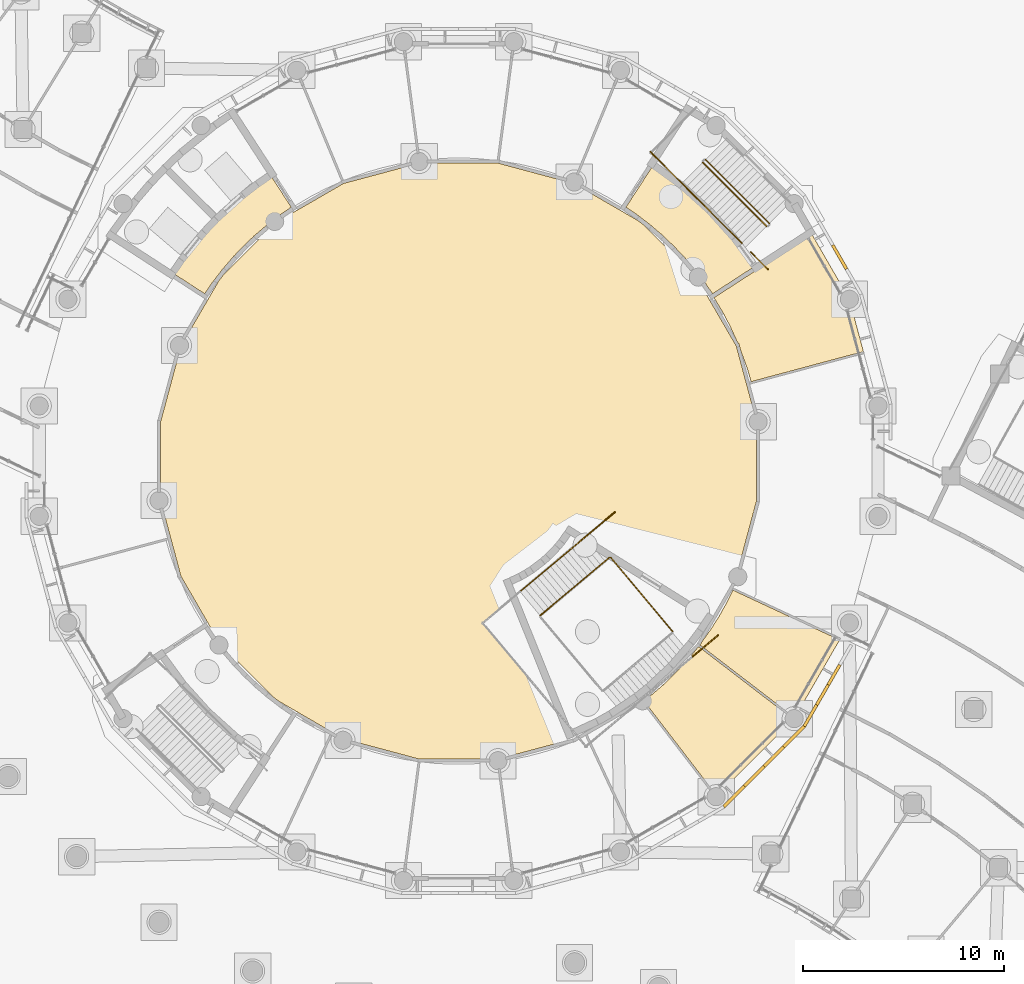
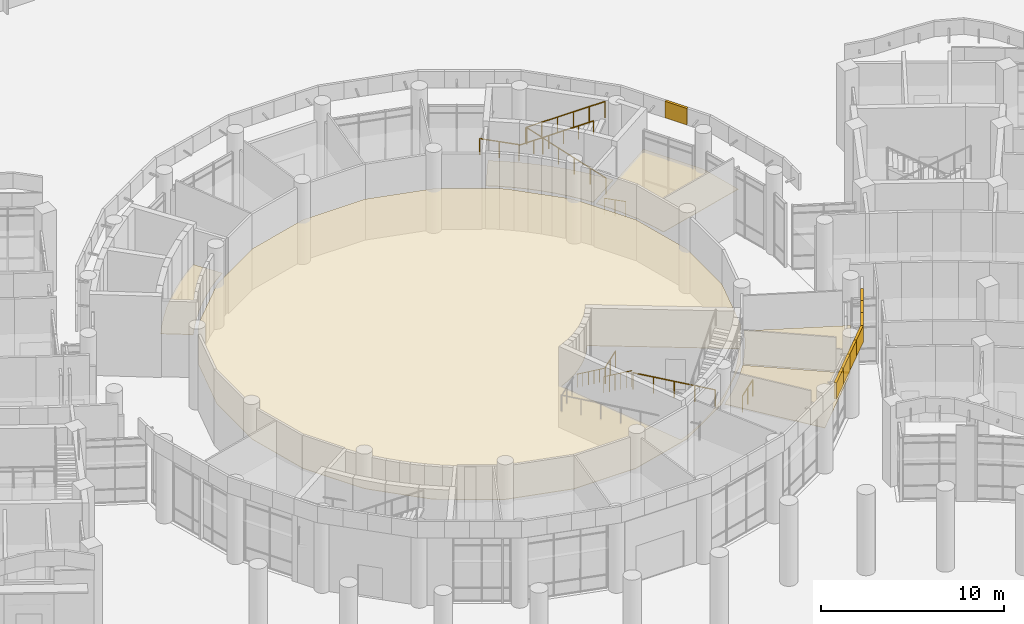
# One storey, part 123 of 146: 14 coverings, 10 railings.
"""IFC4 building model written with IfcOpenShell, lengths in metres."""

from ifc_helpers import new_model, si_unit, direction, frame, origin, origin_2d, place, context, subcontext, project, spatial, polyline, circle, outline, extrude, material, layer, layer_set, type_object, element, save


model = new_model("IFC4")

# Units and contexts
model_context = context("Model", 3, precision=1e-05, world=origin(), true_north=direction((0.0, 1.0)))
body_context = subcontext(model_context, "Body", "Model", "MODEL_VIEW")
ifc_project = project(units=[si_unit("LENGTHUNIT", "METRE"), si_unit("AREAUNIT", "SQUARE_METRE"), si_unit("VOLUMEUNIT", "CUBIC_METRE"), si_unit("PLANEANGLEUNIT", "RADIAN"), si_unit("MASSUNIT", "GRAM", prefix="KILO")], contexts=[model_context])

# Site, building, storey
site_placement = place(None, origin())
site = spatial("IfcSite", under=ifc_project, at=site_placement, CompositionType="ELEMENT")
building_placement = place(site_placement, origin())
building = spatial("IfcBuilding", under=site, at=building_placement, Name="Bougainvillea Quay General Hospital", CompositionType="ELEMENT")
storey_placement = place(building_placement, origin())
storey = spatial("IfcBuildingStorey", under=building, at=storey_placement, Name="L00", CompositionType="ELEMENT", Elevation=0.0)

# Coverings
ifc_material_1 = material(Name="Powder-coated aluminium fascia, white", Category="aluminium")
ifc_layer_1 = layer(ifc_material_1, 0.14990234375)
ifc_layer_set_1 = layer_set([ifc_layer_1], Name="Powder-coated aluminium fascia, white")
covering_type_1 = type_object("IfcCoveringType", Name="Aluminium fascia band white 150x1100", PredefinedType="CLADDING", material=ifc_layer_set_1)
covering_1_placement = place(storey_placement, frame((128.39208984375, 83.498046875, 4.85009765625), z_axis=(0.0, 0.0, 1.0), x_axis=(-0.499989712218, 0.866031343357, 0.0)))
element("IfcCovering", 1, at=covering_1_placement, inside=storey, type_object=covering_type_1, Name="Fascia band white e0 8", PredefinedType="CLADDING", context=body_context, shape_type="SweptSolid", body=[
    extrude(outline(polyline([(0.0, 0.0), (1.3706336703115394, 0.0), (1.3706036643327093, -0.14995740144450087), (-3.0005978829975022e-05, -0.14995740144450084), (0.0, 0.0)])), origin(), (0.0, 0.0, 1.0), 1.10009765625),
])
covering_2_placement = place(storey_placement, frame((122.32177734375, 56.89990234375, 4.85009765625), z_axis=(0.0, 0.0, 1.0), x_axis=(0.707022163611, 0.707191388638, 0.0)))
element("IfcCovering", 2, at=covering_2_placement, inside=storey, type_object=covering_type_1, Name="Fascia band white e1 35", PredefinedType="CLADDING", context=body_context, shape_type="SweptSolid", body=[
    extrude(outline(polyline([(0.0, 0.0), (1.4426980987993736, -1.1102230246251565e-16), (1.4426801269031753, -0.15019113653028116), (-0.019870802619285935, -0.15001612744454187), (0.0, 0.0)])), origin(), (0.0, 0.0, 1.0), 1.10009765625),
])
covering_3_placement = place(storey_placement, frame((123.341796875, 57.920166015625, 4.85009765625), z_axis=(0.0, 0.0, 1.0), x_axis=(0.707106781187, 0.707106781187, 0.0)))
element("IfcCovering", 3, at=covering_3_placement, inside=storey, type_object=covering_type_1, Name="Fascia band white e1 36", PredefinedType="CLADDING", context=body_context, shape_type="SweptSolid", body=[
    extrude(outline(polyline([(0.0, 0.0), (1.370364655531937, 0.0), (1.370364655531937, -0.15019113760554115), (0.0, -0.15019113760554112), (0.0, 0.0)])), origin(), (0.0, 0.0, 1.0), 1.10009765625),
])
covering_4_placement = place(storey_placement, frame((124.310791015625, 58.88916015625, 4.85009765625), z_axis=(0.0, 0.0, 1.0), x_axis=(0.707195843064, 0.707017708091, 0.0)))
element("IfcCovering", 4, at=covering_4_placement, inside=storey, type_object=covering_type_1, Name="Fascia band white e1 37", PredefinedType="CLADDING", context=body_context, shape_type="SweptSolid", body=[
    extrude(outline(polyline([(0.0, 0.0), (1.3705372998959335, 0.0), (1.370383562803702, -0.15001852466893295), (1.891814289130267e-05, -0.15019113641407222), (0.0, 0.0)])), origin(), (0.0, 0.0, 1.0), 1.10009765625),
])
covering_5_placement = place(storey_placement, frame((125.280029296875, 59.858154296875, 4.85009765625), z_axis=(0.0, 0.0, 1.0), x_axis=(0.707022163611, 0.707191388638, 0.0)))
element("IfcCovering", 5, at=covering_5_placement, inside=storey, type_object=covering_type_1, Name="Fascia band white e1 38", PredefinedType="CLADDING", context=body_context, shape_type="SweptSolid", body=[
    extrude(outline(polyline([(0.0, 0.0), (1.4426980987993736, -1.1102230246251565e-16), (1.4623603447933502, -0.15019349146840377), (-0.00019058472911116786, -0.15001848238266444), (0.0, 0.0)])), origin(), (0.0, 0.0, 1.0), 1.10009765625),
])
covering_6_placement = place(storey_placement, frame((126.300048828125, 60.87841796875, 4.85009765625), z_axis=(0.0, 0.0, 1.0), x_axis=(0.500080723117, 0.865978793255, 0.0)))
element("IfcCovering", 6, at=covering_6_placement, inside=storey, type_object=covering_type_1, Name="Fascia band white e1 39", PredefinedType="CLADDING", context=body_context, shape_type="SweptSolid", body=[
    extrude(outline(polyline([(0.0, 0.0), (1.2190414715957647, 1.1102230246251565e-16), (1.2190872370178687, -0.14995739746298636), (-0.019848698260943015, -0.15016896475085362), (0.0, 0.0)])), origin(), (0.0, 0.0, 1.0), 1.10009765625),
])
for number, where, z_axis, x_axis, name in (
    (7, (126.90966796875, 61.93408203125, 4.85009765625), (0.0, 0.0, 1.0), (0.499986657325, 0.866033107044, 0.0), "Fascia band white e1 40"),
    (8, (127.48291015625, 62.927001953125, 4.85009765625), (0.0, 0.0, 1.0), (0.499986657325, 0.866033107044, 0.0), "Fascia band white e1 41"),
):
    element("IfcCovering", number, at=place(storey_placement, frame(where, z_axis=z_axis, x_axis=x_axis)), inside=storey, type_object=covering_type_1, Name=name, PredefinedType="CLADDING", context=body_context, shape_type="SweptSolid", body=[
        extrude(outline(polyline([(0.0, 0.0), (1.1465149701534827, 0.0), (1.1465444471637856, -0.14995740154941278), (2.9477010302911277e-05, -0.14995740154941273), (0.0, 0.0)])), origin(), (0.0, 0.0, 1.0), 1.10009765625),
    ])

# Railings
ifc_material_2 = material(Name="Stainless steel 304 balustrade", Category="steel")
railing_type_1 = type_object("IfcRailingType", Name="Stair guard 1100", PredefinedType="GUARDRAIL", material=ifc_material_2)
railing_1_placement = place(storey_placement, frame((124.62939453125, 85.80078125, 0.158935546875)))
element("IfcRailing", 9, at=railing_1_placement, inside=storey, type_object=railing_type_1, Name="L00 ST-H1 stair guard 1", PredefinedType="GUARDRAIL", context=body_context, shape_type="SweptSolid", body=[
    extrude(circle(Radius=0.02392578125, at=origin_2d()), frame((0.0, 0.0, 1.076171875), z_axis=(-0.615054836329, 0.615054836329, 0.49337115503), x_axis=(-0.707106781187, -0.707106781187, 0.0)), (0.0, 0.0, 1.0), 5.150390625),
    extrude(circle(Radius=0.02099609375, at=origin_2d()), origin(), (0.0, 0.0, 1.0), 1.052001953125),
    extrude(circle(Radius=0.02099609375, at=origin_2d()), frame((-0.633544921875, 0.633544921875, 0.50830078125)), (0.0, 0.0, 1.0), 1.052001953125),
    extrude(circle(Radius=0.02099609375, at=origin_2d()), frame((-1.26708984375, 1.26708984375, 1.016357421875)), (0.0, 0.0, 1.0), 1.052001953125),
    extrude(circle(Radius=0.02099609375, at=origin_2d()), frame((-1.900634765625, 1.900634765625, 1.524658203125)), (0.0, 0.0, 1.0), 1.052001953125),
    extrude(circle(Radius=0.02099609375, at=origin_2d()), frame((-2.5341796875, 2.5341796875, 2.03271484375)), (0.0, 0.0, 1.0), 1.052001953125),
    extrude(circle(Radius=0.02099609375, at=origin_2d()), frame((-3.167724609375, 3.167724609375, 2.541015625)), (0.0, 0.0, 1.0), 1.052001953125),
])
railing_2_placement = place(storey_placement, frame((120.28564453125, 87.792724609375, 2.699951171875)))
element("IfcRailing", 10, at=railing_2_placement, inside=storey, type_object=railing_type_1, Name="L00 ST-H1 stair guard 3", PredefinedType="GUARDRAIL", context=body_context, shape_type="SweptSolid", body=[
    extrude(circle(Radius=0.02392578125, at=origin_2d()), frame((0.0, 0.0, 1.076171875), z_axis=(-0.707106781187, 0.707106781187, 0.0), x_axis=(-0.707106781187, -0.707106781187, 0.0)), (0.0, 0.0, 1.0), 2.21484375),
    extrude(circle(Radius=0.02099609375, at=origin_2d()), origin(), (0.0, 0.0, 1.0), 1.052001953125),
    extrude(circle(Radius=0.02099609375, at=origin_2d()), frame((-0.783203125, 0.783203125, 0.0)), (0.0, 0.0, 1.0), 1.052001953125),
    extrude(circle(Radius=0.02099609375, at=origin_2d()), frame((-1.566162109375, 1.566162109375, 0.0)), (0.0, 0.0, 1.0), 1.052001953125),
])
railing_3_placement = place(storey_placement, frame((121.320068359375, 88.8271484375, 2.85888671875)))
element("IfcRailing", 11, at=railing_3_placement, inside=storey, type_object=railing_type_1, Name="L00 ST-H1 stair guard 5", PredefinedType="GUARDRAIL", context=body_context, shape_type="SweptSolid", body=[
    extrude(circle(Radius=0.02392578125, at=origin_2d()), frame((0.0, 0.0, 1.076171875), z_axis=(0.615084305887, -0.615036904199, 0.493356770628), x_axis=(0.707079532895, 0.707134028428, 0.0)), (0.0, 0.0, 1.0), 5.150390625),
    extrude(circle(Radius=0.02099609375, at=origin_2d()), origin(), (0.0, 0.0, 1.0), 1.052001953125),
    extrude(circle(Radius=0.02099609375, at=origin_2d()), frame((0.633544921875, -0.633544921875, 0.50830078125)), (0.0, 0.0, 1.0), 1.052001953125),
    extrude(circle(Radius=0.02099609375, at=origin_2d()), frame((1.26708984375, -1.26708984375, 1.016357421875)), (0.0, 0.0, 1.0), 1.052001953125),
    extrude(circle(Radius=0.02099609375, at=origin_2d()), frame((1.90087890625, -1.900634765625, 1.524658203125)), (0.0, 0.0, 1.0), 1.052001953125),
    extrude(circle(Radius=0.02099609375, at=origin_2d()), frame((2.534423828125, -2.5341796875, 2.03271484375)), (0.0, 0.0, 1.0), 1.052001953125),
    extrude(circle(Radius=0.02099609375, at=origin_2d()), frame((3.16796875, -3.167724609375, 2.541015625)), (0.0, 0.0, 1.0), 1.052001953125),
])
railing_4_placement = place(storey_placement, frame((116.681640625, 69.2138671875, 0.158935546875)))
element("IfcRailing", 12, at=railing_4_placement, inside=storey, type_object=railing_type_1, Name="L00 ST-H3 stair guard 1", PredefinedType="GUARDRAIL", context=body_context, shape_type="SweptSolid", body=[
    extrude(circle(Radius=0.02392578125, at=origin_2d()), frame((0.0, 0.0, 1.076171875), z_axis=(-0.6661979064, -0.559257357315, 0.493367568651), x_axis=(0.642956890328, -0.765902367916, 0.0)), (0.0, 0.0, 1.0), 5.150390625),
    extrude(circle(Radius=0.02099609375, at=origin_2d()), origin(), (0.0, 0.0, 1.0), 1.052001953125),
    extrude(circle(Radius=0.02099609375, at=origin_2d()), frame((-0.686279296875, -0.576171875, 0.50830078125)), (0.0, 0.0, 1.0), 1.052001953125),
    extrude(circle(Radius=0.02099609375, at=origin_2d()), frame((-1.37255859375, -1.152099609375, 1.016357421875)), (0.0, 0.0, 1.0), 1.052001953125),
    extrude(circle(Radius=0.02099609375, at=origin_2d()), frame((-2.05859375, -1.728271484375, 1.524658203125)), (0.0, 0.0, 1.0), 1.052001953125),
    extrude(circle(Radius=0.02099609375, at=origin_2d()), frame((-2.744873046875, -2.30419921875, 2.03271484375)), (0.0, 0.0, 1.0), 1.052001953125),
    extrude(circle(Radius=0.02099609375, at=origin_2d()), frame((-3.43115234375, -2.88037109375, 2.541015625)), (0.0, 0.0, 1.0), 1.052001953125),
])
railing_5_placement = place(storey_placement, frame((116.752197265625, 69.207763671875, 0.0)))
element("IfcRailing", 13, at=railing_5_placement, inside=storey, type_object=railing_type_1, Name="L00 ST-H3 stair guard 7", PredefinedType="GUARDRAIL", context=body_context, shape_type="SweptSolid", body=[
    extrude(circle(Radius=0.02392578125, at=origin_2d()), frame((0.0, 0.0, 1.076171875), z_axis=(0.642924788038, -0.765929315882, 0.0), x_axis=(0.765929315882, 0.642924788038, 0.0)), (0.0, 0.0, 1.0), 4.77734375),
    extrude(circle(Radius=0.02099609375, at=origin_2d()), origin(), (0.0, 0.0, 1.0), 1.052001953125),
    extrude(circle(Radius=0.02099609375, at=origin_2d()), frame((0.767822265625, -0.914794921875, 0.0)), (0.0, 0.0, 1.0), 1.052001953125),
    extrude(circle(Radius=0.02099609375, at=origin_2d()), frame((1.53564453125, -1.82958984375, 0.0)), (0.0, 0.0, 1.0), 1.052001953125),
    extrude(circle(Radius=0.02099609375, at=origin_2d()), frame((2.3037109375, -2.744384765625, 0.0)), (0.0, 0.0, 1.0), 1.052001953125),
    extrude(circle(Radius=0.02099609375, at=origin_2d()), frame((3.071533203125, -3.6591796875, 0.0)), (0.0, 0.0, 1.0), 1.052001953125),
])
for number, where, name in (
    (14, (116.948974609375, 71.4619140625, 0.0), "L00 ST-H3 stair guard 8"),
    (15, (122.077880859375, 65.351806640625, 0.0), "L00 ST-H3 stair guard 9"),
):
    element("IfcRailing", number, at=place(storey_placement, frame(where)), inside=storey, type_object=railing_type_1, Name=name, PredefinedType="GUARDRAIL", context=body_context, shape_type="SweptSolid", body=[
        extrude(circle(Radius=0.02392578125, at=origin_2d()), frame((0.0, 0.0, 1.076171875), z_axis=(-0.765911793969, -0.642945661669, 0.0), x_axis=(0.642945661669, -0.765911793969, 0.0)), (0.0, 0.0, 1.0), 1.64990234375),
        extrude(circle(Radius=0.02099609375, at=origin_2d()), origin(), (0.0, 0.0, 1.0), 1.052001953125),
        extrude(circle(Radius=0.02099609375, at=origin_2d()), frame((-0.6318359375, -0.5302734375, 0.0)), (0.0, 0.0, 1.0), 1.052001953125),
        extrude(circle(Radius=0.02099609375, at=origin_2d()), frame((-1.263671875, -1.060791015625, 0.0)), (0.0, 0.0, 1.0), 1.052001953125),
    ])
railing_6_placement = place(storey_placement, frame((124.558837890625, 83.51953125, 0.0)))
element("IfcRailing", 16, at=railing_6_placement, inside=storey, type_object=railing_type_1, Name="L00 ST-H1 stair guard 7", PredefinedType="GUARDRAIL", context=body_context, shape_type="SweptSolid", body=[
    extrude(circle(Radius=0.02392578125, at=origin_2d()), frame((0.0, 0.0, 1.076171875), z_axis=(-0.707106781187, 0.707106781187, 0.0), x_axis=(-0.707106781187, -0.707106781187, 0.0)), (0.0, 0.0, 1.0), 1.212890625),
    extrude(circle(Radius=0.02099609375, at=origin_2d()), origin(), (0.0, 0.0, 1.0), 1.052001953125),
    extrude(circle(Radius=0.02099609375, at=origin_2d()), frame((-0.4287109375, 0.4287109375, 0.0)), (0.0, 0.0, 1.0), 1.052001953125),
    extrude(circle(Radius=0.02099609375, at=origin_2d()), frame((-0.857666015625, 0.857666015625, 0.0)), (0.0, 0.0, 1.0), 1.052001953125),
])
ifc_material_3 = material(Name="Stainless steel 304 handrail", Category="steel")
railing_type_2 = type_object("IfcRailingType", Name="Stair handrail 900", PredefinedType="HANDRAIL", material=ifc_material_3)
railing_7_placement = place(storey_placement, frame((115.685302734375, 70.401123046875, 0.158935546875)))
element("IfcRailing", 17, at=railing_7_placement, inside=storey, type_object=railing_type_2, Name="L00 ST-H3 stair handrail 1", PredefinedType="HANDRAIL", context=body_context, shape_type="SweptSolid", body=[
    extrude(circle(Radius=0.02392578125, at=origin_2d()), frame((0.0, 0.0, 0.8759765625), z_axis=(-0.666224269616, -0.559239696402, 0.493351988486), x_axis=(0.642930054377, -0.76592489526, 0.0)), (0.0, 0.0, 1.0), 5.150390625),
    extrude(circle(Radius=0.02099609375, at=origin_2d()), origin(), (0.0, 0.0, 1.0), 0.851806640625),
    extrude(circle(Radius=0.02099609375, at=origin_2d()), frame((-0.686279296875, -0.576171875, 0.50830078125)), (0.0, 0.0, 1.0), 0.851806640625),
    extrude(circle(Radius=0.02099609375, at=origin_2d()), frame((-1.37255859375, -1.152099609375, 1.016357421875)), (0.0, 0.0, 1.0), 0.851806640625),
    extrude(circle(Radius=0.02099609375, at=origin_2d()), frame((-2.058837890625, -1.728271484375, 1.524658203125)), (0.0, 0.0, 1.0), 0.851806640625),
    extrude(circle(Radius=0.02099609375, at=origin_2d()), frame((-2.7451171875, -2.30419921875, 2.03271484375)), (0.0, 0.0, 1.0), 0.851806640625),
    extrude(circle(Radius=0.02099609375, at=origin_2d()), frame((-3.431396484375, -2.88037109375, 2.541015625)), (0.0, 0.0, 1.0), 0.851806640625),
])
railing_8_placement = place(storey_placement, frame((120.28564453125, 87.792724609375, 2.85888671875)))
element("IfcRailing", 18, at=railing_8_placement, inside=storey, type_object=railing_type_2, Name="L00 ST-H1 stair handrail 2", PredefinedType="HANDRAIL", context=body_context, shape_type="SweptSolid", body=[
    extrude(circle(Radius=0.02392578125, at=origin_2d()), frame((0.0, 0.0, 0.8759765625), z_axis=(0.615059684213, -0.615059684213, 0.49335906773), x_axis=(0.707106781187, 0.707106781187, 0.0)), (0.0, 0.0, 1.0), 4.840576171875),
    extrude(circle(Radius=0.02099609375, at=origin_2d()), origin(), (0.0, 0.0, 1.0), 0.851806640625),
    extrude(circle(Radius=0.02099609375, at=origin_2d()), frame((0.595458984375, -0.595458984375, 0.4775390625)), (0.0, 0.0, 1.0), 0.851806640625),
    extrude(circle(Radius=0.02099609375, at=origin_2d()), frame((1.19091796875, -1.19091796875, 0.955322265625)), (0.0, 0.0, 1.0), 0.851806640625),
    extrude(circle(Radius=0.02099609375, at=origin_2d()), frame((1.786376953125, -1.786376953125, 1.432861328125)), (0.0, 0.0, 1.0), 0.851806640625),
    extrude(circle(Radius=0.02099609375, at=origin_2d()), frame((2.3818359375, -2.3818359375, 1.91064453125)), (0.0, 0.0, 1.0), 0.851806640625),
    extrude(circle(Radius=0.02099609375, at=origin_2d()), frame((2.977294921875, -2.977294921875, 2.38818359375)), (0.0, 0.0, 1.0), 0.851806640625),
])

# Coverings
ifc_material_4 = material(Name="Mineral fibre ceiling tile")
ifc_layer_2 = layer(ifc_material_4, 0.030029296875)
ifc_layer_set_2 = layer_set([ifc_layer_2], Name="Mineral fibre ceiling tile")
covering_type_2 = type_object("IfcCoveringType", Name="Suspended ceiling mineral fibre tile", PredefinedType="CEILING", material=ifc_layer_set_2)
covering_7_placement = place(storey_placement, frame((0.0, 0.0, 2.699951171875)))
element("IfcCovering", 19, at=covering_7_placement, inside=storey, type_object=covering_type_2, Name="Ceiling Lift Lobby LB-H1", PredefinedType="CEILING", context=body_context, shape_type="SweptSolid", body=[
    extrude(outline(polyline([(96.9248046875, 82.798583984375), (96.984130859375, 82.875732421875), (97.039306640625, 82.9560546875), (97.04345703125, 82.953125), (97.406005859375, 83.425537109375), (97.402099609375, 83.428955078125), (97.46533203125, 83.5029296875), (97.5244140625, 83.580322265625), (97.528564453125, 83.5771484375), (97.915283203125, 84.02978515625), (97.91162109375, 84.033203125), (97.978515625, 84.10400390625), (98.0419921875, 84.177978515625), (98.045654296875, 84.1748046875), (98.455322265625, 84.60693359375), (98.45166015625, 84.61083984375), (98.522216796875, 84.677734375), (98.589111328125, 84.748291015625), (98.593017578125, 84.74462890625), (99.025390625, 85.154296875), (99.02197265625, 85.157958984375), (99.09619140625, 85.221435546875), (99.166748046875, 85.288330078125), (99.170166015625, 85.28466796875), (99.622802734375, 85.67138671875), (99.619873046875, 85.675537109375), (99.697021484375, 85.734619140625), (99.77099609375, 85.798095703125), (99.7744140625, 85.794189453125), (100.246826171875, 86.156494140625), (100.243896484375, 86.16064453125), (100.32421875, 86.2158203125), (100.4013671875, 86.275146484375), (100.404541015625, 86.271240234375), (100.89306640625, 86.607177734375), (99.9130859375, 88.116455078125), (99.266845703125, 87.672119140625), (98.56494140625, 87.13330078125), (97.891845703125, 86.55859375), (97.249755859375, 85.9501953125), (96.641357421875, 85.30810546875), (96.066650390625, 84.635009765625), (95.52783203125, 83.93310546875), (95.08349609375, 83.286865234375), (96.5927734375, 82.306884765625), (96.9287109375, 82.79541015625), (96.9248046875, 82.798583984375)])), origin(), (0.0, 0.0, 1.0), 0.030029296875),
])
covering_8_placement = place(storey_placement, frame((0.0, 0.0, 2.699951171875)))
element("IfcCovering", 20, at=covering_8_placement, inside=storey, type_object=covering_type_2, Name="Ceiling Smoke-proof Vestibule ST-H1", PredefinedType="CEILING", context=body_context, shape_type="SweptSolid", body=[
    extrude(outline(polyline([(117.99853515625, 86.275146484375), (118.075927734375, 86.2158203125), (118.156005859375, 86.16064453125), (118.153076171875, 86.156494140625), (118.62548828125, 85.794189453125), (118.62890625, 85.798095703125), (118.702880859375, 85.734619140625), (118.7802734375, 85.675537109375), (118.777099609375, 85.67138671875), (119.229736328125, 85.28466796875), (119.233154296875, 85.288330078125), (119.303955078125, 85.221435546875), (119.3779296875, 85.157958984375), (119.374755859375, 85.154296875), (119.806884765625, 84.74462890625), (119.810791015625, 84.748291015625), (119.877685546875, 84.677734375), (119.948486328125, 84.61083984375), (119.94482421875, 84.60693359375), (120.354248046875, 84.1748046875), (120.358154296875, 84.177978515625), (120.42138671875, 84.10400390625), (120.48828125, 84.033203125), (120.484619140625, 84.02978515625), (120.871337890625, 83.5771484375), (120.87548828125, 83.580322265625), (120.934814453125, 83.5029296875), (120.998046875, 83.428955078125), (120.994140625, 83.425537109375), (121.3564453125, 82.953125), (121.36083984375, 82.9560546875), (121.416015625, 82.875732421875), (121.47509765625, 82.798583984375), (121.47119140625, 82.79541015625), (121.80712890625, 82.306884765625), (123.8203125, 83.614013671875), (123.358154296875, 84.2861328125), (122.80029296875, 85.012939453125), (122.20458984375, 85.7099609375), (121.57421875, 86.374267578125), (120.91015625, 87.004638671875), (120.213134765625, 87.600341796875), (119.486083984375, 88.158203125), (118.81396484375, 88.620361328125), (117.5068359375, 86.607177734375), (117.995361328125, 86.271240234375), (117.99853515625, 86.275146484375)])), origin(), (0.0, 0.0, 1.0), 0.030029296875),
])
covering_9_placement = place(storey_placement, frame((0.0, 0.0, 2.699951171875)))
element("IfcCovering", 21, at=covering_9_placement, inside=storey, type_object=covering_type_2, Name="Ceiling Main Hall (Hospital Street)", PredefinedType="CEILING", context=body_context, shape_type="SweptSolid", body=[
    extrude(outline(polyline([(100.305419921875, 85.949462890625), (100.014892578125, 85.7265625), (97.51513671875, 83.2392578125), (97.2890625, 82.94482421875), (95.411865234375, 79.7109375), (94.403076171875, 75.9482421875), (94.403076171875, 72.0517578125), (95.411865234375, 68.2890625), (97.25048828125, 65.10546875), (97.473388671875, 64.81494140625), (99.960693359375, 62.31494140625), (100.255126953125, 62.089111328125), (103.489013671875, 60.2119140625), (107.251953125, 59.202880859375), (111.148193359375, 59.202880859375), (114.9111328125, 60.2119140625), (118.284912109375, 62.159912109375), (121.0400390625, 64.9150390625), (122.988037109375, 68.2890625), (123.9970703125, 72.0517578125), (123.9970703125, 75.9482421875), (122.988037109375, 79.7109375), (121.11083984375, 82.94482421875), (120.885009765625, 83.2392578125), (118.385009765625, 85.7265625), (118.094482421875, 85.949462890625), (114.9111328125, 87.7880859375), (111.148193359375, 88.797119140625), (107.251953125, 88.797119140625), (103.489013671875, 87.7880859375), (100.305419921875, 85.949462890625)]), holes=[polyline([(118.719970703125, 62.76806640625), (119.1875, 63.1826171875), (119.18994140625, 63.179931640625), (119.2421875, 63.231201171875), (119.296875, 63.279541015625), (119.29443359375, 63.282470703125), (119.73974609375, 63.7197265625), (119.74267578125, 63.717041015625), (119.7919921875, 63.77099609375), (119.843994140625, 63.822021484375), (119.84130859375, 63.82470703125), (120.26318359375, 64.285888671875), (120.26611328125, 64.283447265625), (120.312744140625, 64.33984375), (120.362060546875, 64.393798828125), (120.359130859375, 64.396240234375), (120.756591796875, 64.87841796875), (120.759521484375, 64.8759765625), (120.802978515625, 64.934814453125), (120.849609375, 64.9912109375), (120.8466796875, 64.99365234375), (121.218994140625, 65.495361328125), (121.22216796875, 65.4931640625), (121.262451171875, 65.553955078125), (121.305908203125, 65.612548828125), (121.302734375, 65.614990234375), (121.646240234375, 66.134765625), (121.64794921875, 66.133544921875), (121.72802734375, 66.25830078125), (121.726318359375, 66.25927734375), (121.727294921875, 66.2607421875), (121.602783203125, 66.3408203125), (121.601806640625, 66.33935546875), (114.752685546875, 70.619140625), (114.69091796875, 70.659912109375), (114.689697265625, 70.658203125), (114.688232421875, 70.659423828125), (114.64892578125, 70.5966796875), (114.46240234375, 70.31494140625), (114.262939453125, 70.044189453125), (114.04931640625, 69.78515625), (113.822021484375, 69.537109375), (113.581787109375, 69.30078125), (113.329833984375, 69.078369140625), (113.06689453125, 68.868896484375), (112.79296875, 68.673095703125), (112.50927734375, 68.492431640625), (112.216796875, 68.3271484375), (111.915283203125, 68.177001953125), (111.60595703125, 68.042236328125), (111.537353515625, 68.014404296875), (111.5380859375, 68.0126953125), (111.536376953125, 68.01171875), (111.56591796875, 67.94384765625), (114.591064453125, 60.45654296875), (114.58935546875, 60.455810546875), (114.646484375, 60.3193359375), (114.6484375, 60.320068359375), (114.649169921875, 60.318359375), (114.78564453125, 60.37548828125), (114.784912109375, 60.37744140625), (115.355712890625, 60.625732421875), (115.357177734375, 60.622314453125), (115.422607421875, 60.655029296875), (115.48974609375, 60.68408203125), (115.48828125, 60.6875), (116.047607421875, 60.966064453125), (116.049560546875, 60.962890625), (116.11328125, 60.998779296875), (116.178466796875, 61.03125), (116.1767578125, 61.03466796875), (116.719970703125, 61.341796875), (116.72216796875, 61.33837890625), (116.78369140625, 61.377685546875), (116.84716796875, 61.41357421875), (116.84521484375, 61.4169921875), (117.372314453125, 61.75341796875), (117.37451171875, 61.75048828125), (117.433837890625, 61.792724609375), (117.49560546875, 61.83203125), (117.49365234375, 61.835205078125), (118.00244140625, 62.19775390625), (118.0048828125, 62.194580078125), (118.06201171875, 62.239990234375), (118.12158203125, 62.282470703125), (118.119384765625, 62.28564453125), (118.608154296875, 62.674072265625), (118.610595703125, 62.671142578125), (118.665283203125, 62.719482421875), (118.722412109375, 62.764892578125), (118.719970703125, 62.76806640625)])]), origin(), (0.0, 0.0, 1.0), 0.030029296875),
])
covering_10_placement = place(storey_placement, frame((0.0, 0.0, 2.699951171875)))
element("IfcCovering", 22, at=covering_10_placement, inside=storey, type_object=covering_type_2, Name="Ceiling Cafe Kitchen 00H0212", PredefinedType="CEILING", context=body_context, shape_type="SweptSolid", body=[
    extrude(outline(polyline([(125.82421875, 61.180419921875), (121.134765625, 64.779296875), (121.12744140625, 64.7666015625), (121.1123046875, 64.775390625), (121.004150390625, 64.667236328125), (120.87890625, 64.508544921875), (120.880615234375, 64.50732421875), (120.8486328125, 64.47021484375), (120.818115234375, 64.431884765625), (120.816650390625, 64.43310546875), (120.390869140625, 63.9384765625), (120.392578125, 63.936767578125), (120.359130859375, 63.9013671875), (120.327392578125, 63.864501953125), (120.325439453125, 63.865966796875), (119.8759765625, 63.39306640625), (119.877685546875, 63.39111328125), (119.84228515625, 63.357666015625), (119.808837890625, 63.322265625), (119.806884765625, 63.323974609375), (119.333984375, 62.87451171875), (119.33544921875, 62.872802734375), (119.298583984375, 62.8408203125), (119.26318359375, 62.807373046875), (119.261474609375, 62.80908203125), (118.766845703125, 62.38330078125), (118.768310546875, 62.3818359375), (118.729736328125, 62.351318359375), (118.692626953125, 62.319580078125), (118.69140625, 62.321044921875), (118.53271484375, 62.19580078125), (118.4248046875, 62.087646484375), (118.433349609375, 62.072509765625), (118.420654296875, 62.065185546875), (122.019775390625, 57.375732421875), (125.82421875, 61.180419921875)])), origin(), (0.0, 0.0, 1.0), 0.030029296875),
])
covering_11_placement = place(storey_placement, frame((0.0, 0.0, 2.699951171875)))
element("IfcCovering", 23, at=covering_11_placement, inside=storey, type_object=covering_type_2, Name="Ceiling Shop 00H0213", PredefinedType="CEILING", context=body_context, shape_type="SweptSolid", body=[
    extrude(outline(polyline([(128.115966796875, 65.12451171875), (122.818115234375, 67.594970703125), (122.52783203125, 67.01123046875), (122.530029296875, 67.010009765625), (122.506103515625, 66.967529296875), (122.484619140625, 66.924072265625), (122.482421875, 66.925048828125), (122.162841796875, 66.35595703125), (122.1650390625, 66.354736328125), (122.138916015625, 66.3134765625), (122.115234375, 66.27099609375), (122.113037109375, 66.272216796875), (121.765380859375, 65.71826171875), (121.767822265625, 65.716552734375), (121.739501953125, 65.67724609375), (121.7138671875, 65.635986328125), (121.711181640625, 65.6376953125), (121.291748046875, 65.05126953125), (121.19384765625, 64.88134765625), (121.2060546875, 64.868896484375), (121.195556640625, 64.858642578125), (125.88525390625, 61.259765625), (128.115966796875, 65.12451171875)])), origin(), (0.0, 0.0, 1.0), 0.030029296875),
])
covering_12_placement = place(storey_placement, frame((0.0, 0.0, 2.699951171875)))
element("IfcCovering", 24, at=covering_12_placement, inside=storey, type_object=covering_type_2, Name="Ceiling Quiet Room 00H0511", PredefinedType="CEILING", context=body_context, shape_type="SweptSolid", body=[
    extrude(outline(polyline([(126.7099609375, 85.3115234375), (124.0732421875, 83.599365234375), (124.10009765625, 83.560302734375), (124.097900390625, 83.558837890625), (124.099365234375, 83.556640625), (124.0166015625, 83.5029296875), (123.935302734375, 83.447021484375), (123.933837890625, 83.44921875), (121.873779296875, 82.111572265625), (121.91650390625, 82.04736328125), (121.91845703125, 82.048583984375), (121.943359375, 82.006591796875), (121.97021484375, 81.9658203125), (121.96826171875, 81.964599609375), (122.3017578125, 81.4033203125), (122.303955078125, 81.404541015625), (122.32666015625, 81.361572265625), (122.3515625, 81.319580078125), (122.349365234375, 81.318359375), (122.654296875, 80.740966796875), (122.65673828125, 80.7421875), (122.677001953125, 80.697998046875), (122.699462890625, 80.655029296875), (122.697021484375, 80.65380859375), (122.99755859375, 79.993408203125), (123.093994140625, 79.827392578125), (123.111083984375, 79.831787109375), (123.1279296875, 79.76904296875), (123.160400390625, 79.712890625), (123.145263671875, 79.703857421875), (123.201416015625, 79.494873046875), (123.5078125, 78.6611328125), (123.5107421875, 78.662109375), (123.5244140625, 78.61572265625), (123.541259765625, 78.5703125), (123.538330078125, 78.5693359375), (123.72314453125, 77.94287109375), (129.297119140625, 79.437255859375), (129.31005859375, 79.388916015625), (128.60107421875, 82.035888671875), (126.7099609375, 85.3115234375)])), origin(), (0.0, 0.0, 1.0), 0.030029296875),
])

save(model, "model.ifc")
